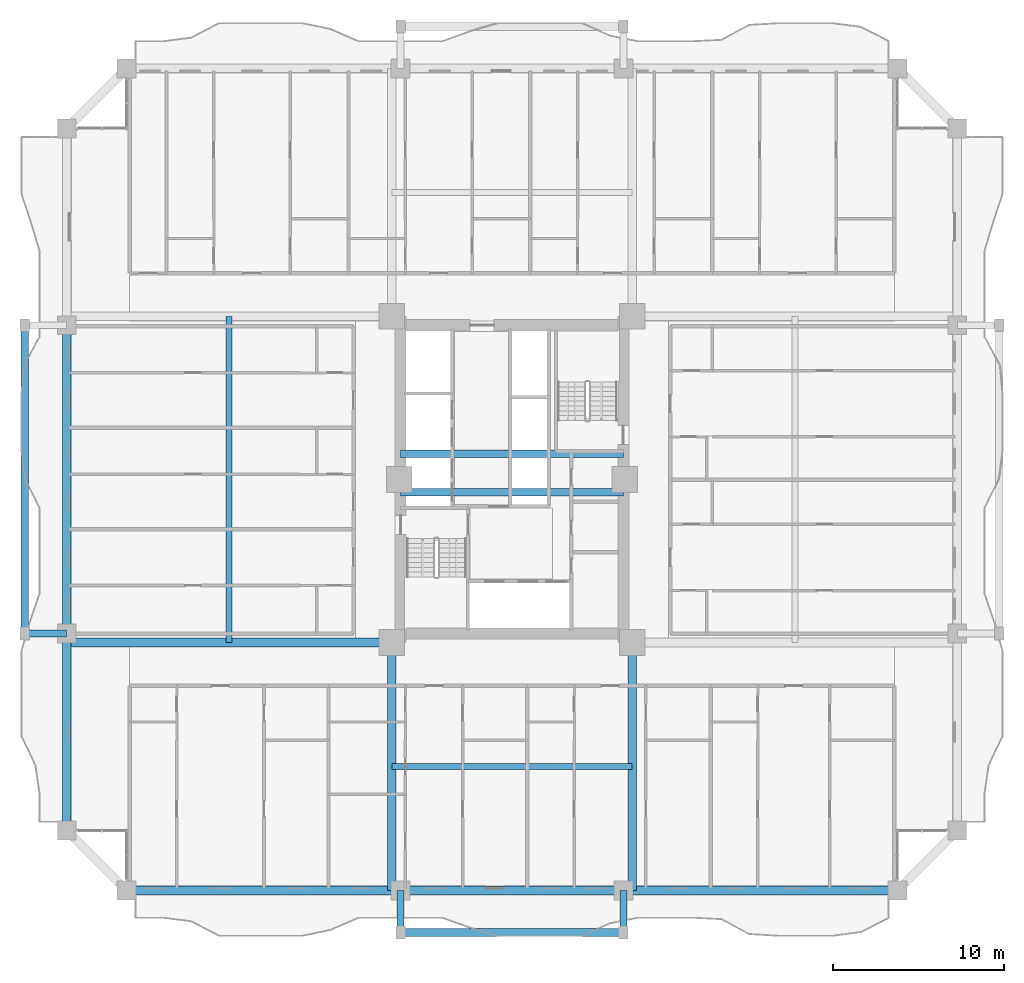
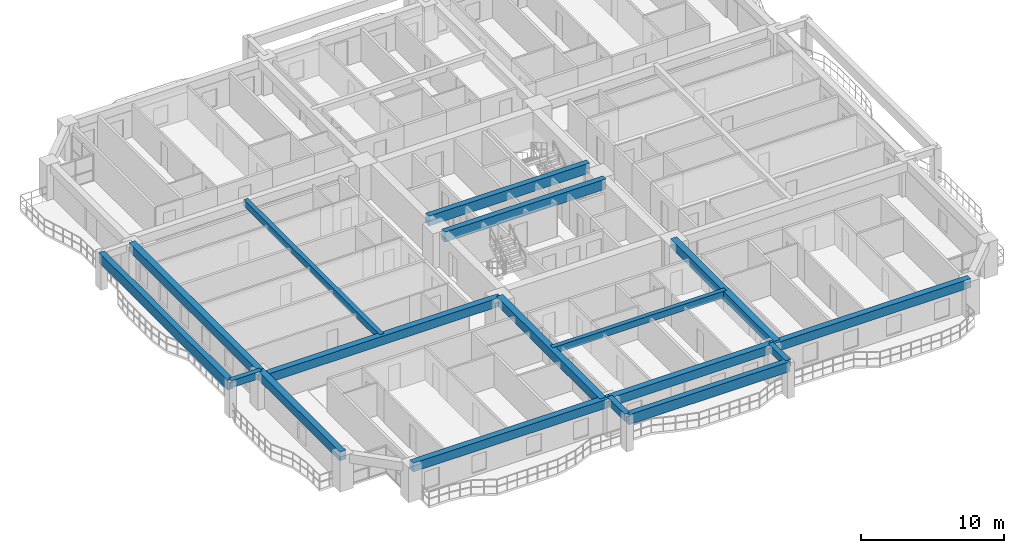
# One storey, part 3 of 27: 17 beams.
"""IFC4 building model written with IfcOpenShell, lengths in metres."""

from ifc_helpers import new_model, si_unit, direction, frame, origin, origin_2d, place, context, subcontext, project, spatial, rectangle, extrude, source, transform, mapped, material, material_profile, profile_set, type_object, element, save


model = new_model("IFC4")

# Units and contexts
model_context = context("Model", 3, precision=1e-05, world=origin(), true_north=direction((0.0, 1.0)))
body_context = subcontext(model_context, "Body", "Model", "MODEL_VIEW")
ifc_project = project(units=[si_unit("LENGTHUNIT", "METRE"), si_unit("AREAUNIT", "SQUARE_METRE"), si_unit("VOLUMEUNIT", "CUBIC_METRE"), si_unit("PLANEANGLEUNIT", "RADIAN"), si_unit("MASSUNIT", "GRAM", prefix="KILO")], contexts=[model_context])

# Site, building, storey
site_placement = place(None, origin())
site = spatial("IfcSite", under=ifc_project, at=site_placement, CompositionType="ELEMENT")
building_placement = place(site_placement, origin())
building = spatial("IfcBuilding", under=site, at=building_placement, Name="Saelheon Loggia Tower", CompositionType="ELEMENT")
storey_placement = place(building_placement, frame((0.0, 0.0, 34.39990234375)))
storey = spatial("IfcBuildingStorey", under=building, at=storey_placement, Name="L10", CompositionType="ELEMENT", Elevation=34.39990234375)

# Beams
ifc_material_1 = material(Name="Concrete C50/60", Category="concrete")
ifc_material_profile_1 = material_profile(ifc_material_1, rectangle(XDim=0.449951171875, YDim=0.85009765625, at=origin_2d()), Name="RC-450x850")
ifc_profile_set_1 = profile_set([ifc_material_profile_1], Name="Concrete C50/60")
beam_type_1 = type_object("IfcBeamType", Name="Beam_CoreLintel_RC450x850", PredefinedType="LINTEL", material=ifc_profile_set_1)
shared_shape_1 = source(origin(), body_context, "Body", "SweptSolid", [
    extrude(rectangle(XDim=0.449951171875, YDim=0.85009765625, at=origin_2d()), origin(), (0.0, 0.0, 1.0), 13.0),
])
for number, where, z_axis, x_axis, name in (
    (1, (31.5, 26.25, 2.5751953125), (1.0, 0.0, 0.0), (0.0, 1.0, 0.0), "L10 Core Coupling Lintel 1"),
    (2, (31.5, 28.5, 2.5751953125), (1.0, 0.0, 0.0), (0.0, 1.0, 0.0), "L10 Core Coupling Lintel 2"),
):
    element("IfcBeam", number, at=place(storey_placement, frame(where, z_axis=z_axis, x_axis=x_axis)), inside=storey, type_object=beam_type_1, Name=name, PredefinedType="LINTEL", context=body_context, shape_type="MappedRepresentation", body=[
        mapped(shared_shape_1, transform((0.0, 0.0, 0.0), scale=1.0)),
    ])
ifc_material_2 = material(Name="Precast Concrete C45/55", Category="concrete")
ifc_material_profile_2 = material_profile(ifc_material_2, rectangle(XDim=0.449951171875, YDim=0.85009765625, at=origin_2d()), Name="RC-450x850")
ifc_profile_set_2 = profile_set([ifc_material_profile_2], Name="Precast Concrete C45/55")
beam_type_2 = type_object("IfcBeamType", Name="Beam_LoggiaSpandrel_RC450x850", PredefinedType="SPANDREL", material=ifc_profile_set_2)
beam_1_placement = place(storey_placement, frame((31.5, 0.550048828125, 2.5751953125), z_axis=(1.0, 0.0, 0.0), x_axis=(0.0, 1.0, 0.0)))
element("IfcBeam", 3, at=beam_1_placement, inside=storey, type_object=beam_type_2, Name="L10 Loggia Spandrel Beam S", PredefinedType="SPANDREL", context=body_context, shape_type="MappedRepresentation", body=[
    mapped(shared_shape_1, transform((0.0, 0.0, 0.0), scale=1.0)),
])
ifc_material_3 = material(Name="Concrete C45/55", Category="concrete")
ifc_material_profile_3 = material_profile(ifc_material_3, rectangle(XDim=0.5, YDim=0.75, at=origin_2d()), Name="RC-500x750")
ifc_profile_set_3 = profile_set([ifc_material_profile_3], Name="Concrete C45/55")
beam_type_3 = type_object("IfcBeamType", Name="Beam_FloorGirder_RC500x750", PredefinedType="BEAM", material=ifc_profile_set_3)
shared_shape_2 = source(origin(), body_context, "Body", "SweptSolid", [
    extrude(rectangle(XDim=0.5, YDim=0.75, at=origin_2d()), origin(), (0.0, 0.0, 1.0), 14.47998046875),
])
for number, where, z_axis, x_axis, name in (
    (4, (30.97998046875, 17.47998046875, 2.625), (0.0, -1.0, 0.0), (1.0, 0.0, 0.0), "L10 Radial Floor Girder RAD-SW-S"),
    (5, (45.02001953125, 17.47998046875, 2.625), (0.0, -1.0, 0.0), (1.0, 0.0, 0.0), "L10 Radial Floor Girder RAD-SE-S"),
):
    element("IfcBeam", number, at=place(storey_placement, frame(where, z_axis=z_axis, x_axis=x_axis)), inside=storey, type_object=beam_type_3, Name=name, PredefinedType="BEAM", context=body_context, shape_type="MappedRepresentation", body=[
        mapped(shared_shape_2, transform((0.0, 0.0, 0.0), scale=1.0)),
    ])
ifc_material_profile_4 = material_profile(ifc_material_3, rectangle(XDim=0.5, YDim=0.75, at=origin_2d()), Name="RC-500x750")
ifc_profile_set_4 = profile_set([ifc_material_profile_4], Name="Concrete C45/55")
beam_type_4 = type_object("IfcBeamType", Name="Beam_PerimGirder_RC500x750", PredefinedType="BEAM", material=ifc_profile_set_4)
shared_shape_3 = source(origin(), body_context, "Body", "SweptSolid", [
    extrude(rectangle(XDim=0.5, YDim=0.75, at=origin_2d()), origin(), (0.0, 0.0, 1.0), 16.0),
])
for number, where, z_axis, x_axis, name in (
    (6, (15.5, 3.0, 2.625), (1.0, 0.0, 0.0), (0.0, 1.0, 0.0), "L10 Perimeter Frame Girder 01"),
    (7, (44.5, 3.0, 2.625), (1.0, 0.0, 0.0), (0.0, 1.0, 0.0), "L10 Perimeter Frame Girder 03"),
):
    element("IfcBeam", number, at=place(storey_placement, frame(where, z_axis=z_axis, x_axis=x_axis)), inside=storey, type_object=beam_type_4, Name=name, PredefinedType="BEAM", context=body_context, shape_type="MappedRepresentation", body=[
        mapped(shared_shape_3, transform((0.0, 0.0, 0.0), scale=1.0)),
    ])
shared_shape_4 = source(origin(), body_context, "Body", "SweptSolid", [
    extrude(rectangle(XDim=0.5, YDim=0.75, at=origin_2d()), origin(), (0.0, 0.0, 1.0), 13.0),
])
beam_2_placement = place(storey_placement, frame((31.5, 3.0, 2.625), z_axis=(1.0, 0.0, 0.0), x_axis=(0.0, 1.0, 0.0)))
element("IfcBeam", 8, at=beam_2_placement, inside=storey, type_object=beam_type_4, Name="L10 Perimeter Frame Girder 02", PredefinedType="BEAM", context=body_context, shape_type="MappedRepresentation", body=[
    mapped(shared_shape_4, transform((0.0, 0.0, 0.0), scale=1.0)),
])
shared_shape_5 = source(origin(), body_context, "Body", "SweptSolid", [
    extrude(rectangle(XDim=0.5, YDim=0.75, at=origin_2d()), origin(), (0.0, 0.0, 1.0), 11.5),
])
beam_3_placement = place(storey_placement, frame((12.0, 18.0, 2.625), z_axis=(0.0, -1.0, 0.0), x_axis=(1.0, 0.0, 0.0)))
element("IfcBeam", 9, at=beam_3_placement, inside=storey, type_object=beam_type_4, Name="L10 Perimeter Frame Girder 15", PredefinedType="BEAM", context=body_context, shape_type="MappedRepresentation", body=[
    mapped(shared_shape_5, transform((0.0, 0.0, 0.0), scale=1.0)),
])
shared_shape_6 = source(origin(), body_context, "Body", "SweptSolid", [
    extrude(rectangle(XDim=0.5, YDim=0.75, at=origin_2d()), origin(), (0.0, 0.0, 1.0), 18.0),
])
beam_4_placement = place(storey_placement, frame((12.0, 36.0, 2.625), z_axis=(0.0, -1.0, 0.0), x_axis=(1.0, 0.0, 0.0)))
element("IfcBeam", 10, at=beam_4_placement, inside=storey, type_object=beam_type_4, Name="L10 Perimeter Frame Girder 14", PredefinedType="BEAM", context=body_context, shape_type="MappedRepresentation", body=[
    mapped(shared_shape_6, transform((0.0, 0.0, 0.0), scale=1.0)),
])
shared_shape_7 = source(origin(), body_context, "Body", "SweptSolid", [
    extrude(rectangle(XDim=0.5, YDim=0.75, at=origin_2d()), origin(), (0.0, 0.0, 1.0), 18.97998046875),
])
beam_5_placement = place(storey_placement, frame((30.97998046875, 17.47998046875, 2.625), z_axis=(-1.0, 0.0, 0.0), x_axis=(0.0, -1.0, 0.0)))
element("IfcBeam", 11, at=beam_5_placement, inside=storey, type_object=beam_type_3, Name="L10 Radial Floor Girder RAD-SW-W", PredefinedType="BEAM", context=body_context, shape_type="MappedRepresentation", body=[
    mapped(shared_shape_7, transform((0.0, 0.0, 0.0), scale=1.0)),
])
ifc_material_4 = material(Name="Concrete C40/50", Category="concrete")
ifc_material_profile_5 = material_profile(ifc_material_4, rectangle(XDim=0.35009765625, YDim=0.550048828125, at=origin_2d()), Name="RC-350x550")
ifc_profile_set_5 = profile_set([ifc_material_profile_5], Name="Concrete C40/50")
beam_type_5 = type_object("IfcBeamType", Name="Beam_Joist_RC350x550", PredefinedType="JOIST", material=ifc_profile_set_5)
shared_shape_8 = source(origin(), body_context, "Body", "SweptSolid", [
    extrude(rectangle(XDim=0.35009765625, YDim=0.550048828125, at=origin_2d()), origin(), (0.0, 0.0, 1.0), 14.0400390625),
])
beam_6_placement = place(storey_placement, frame((30.97998046875, 10.239990234375, 2.72509765625), z_axis=(1.0, 0.0, 0.0), x_axis=(0.0, 1.0, 0.0)))
element("IfcBeam", 12, at=beam_6_placement, inside=storey, type_object=beam_type_5, Name="L10 South Floor Joist", PredefinedType="JOIST", context=body_context, shape_type="MappedRepresentation", body=[
    mapped(shared_shape_8, transform((0.0, 0.0, 0.0), scale=1.0)),
])
shared_shape_9 = source(origin(), body_context, "Body", "SweptSolid", [
    extrude(rectangle(XDim=0.35009765625, YDim=0.550048828125, at=origin_2d()), origin(), (0.0, 0.0, 1.0), 19.0400390625),
])
beam_7_placement = place(storey_placement, frame((21.489990234375, 17.47998046875, 2.72509765625), z_axis=(0.0, 1.0, 0.0), x_axis=(-1.0, 0.0, 0.0)))
element("IfcBeam", 13, at=beam_7_placement, inside=storey, type_object=beam_type_5, Name="L10 West Floor Joist", PredefinedType="JOIST", context=body_context, shape_type="MappedRepresentation", body=[
    mapped(shared_shape_9, transform((0.0, 0.0, 0.0), scale=1.0)),
])
ifc_material_profile_6 = material_profile(ifc_material_2, rectangle(XDim=0.39990234375, YDim=0.60009765625, at=origin_2d()), Name="RC-400x600")
ifc_profile_set_6 = profile_set([ifc_material_profile_6], Name="Precast Concrete C45/55")
beam_type_6 = type_object("IfcBeamType", Name="Beam_LoggiaTie_RC400x600", PredefinedType="BEAM", material=ifc_profile_set_6)
shared_shape_10 = source(origin(), body_context, "Body", "SweptSolid", [
    extrude(rectangle(XDim=0.39990234375, YDim=0.60009765625, at=origin_2d()), origin(), (0.0, 0.0, 1.0), 2.449951171875),
])
for number, where, z_axis, x_axis, name in (
    (14, (31.5, 3.0, 2.7001953125), (0.0, -1.0, 0.0), (1.0, 0.0, 0.0), "L10 Loggia Frame Tie Beam LP-S1"),
    (15, (44.5, 3.0, 2.7001953125), (0.0, -1.0, 0.0), (1.0, 0.0, 0.0), "L10 Loggia Frame Tie Beam LP-S2"),
    (16, (12.0, 18.0, 2.7001953125), (-1.0, 0.0, 0.0), (0.0, -1.0, 0.0), "L10 Loggia Frame Tie Beam LP-W1"),
):
    element("IfcBeam", number, at=place(storey_placement, frame(where, z_axis=z_axis, x_axis=x_axis)), inside=storey, type_object=beam_type_6, Name=name, PredefinedType="BEAM", context=body_context, shape_type="MappedRepresentation", body=[
        mapped(shared_shape_10, transform((0.0, 0.0, 0.0), scale=1.0)),
    ])
shared_shape_11 = source(origin(), body_context, "Body", "SweptSolid", [
    extrude(rectangle(XDim=0.449951171875, YDim=0.85009765625, at=origin_2d()), origin(), (0.0, 0.0, 1.0), 18.0),
])
beam_8_placement = place(storey_placement, frame((9.550048828125, 18.0, 2.5751953125), z_axis=(0.0, 1.0, 0.0), x_axis=(-1.0, 0.0, 0.0)))
element("IfcBeam", 17, at=beam_8_placement, inside=storey, type_object=beam_type_2, Name="L10 Loggia Spandrel Beam W", PredefinedType="SPANDREL", context=body_context, shape_type="MappedRepresentation", body=[
    mapped(shared_shape_11, transform((0.0, 0.0, 0.0), scale=1.0)),
])

save(model, "model.ifc")
